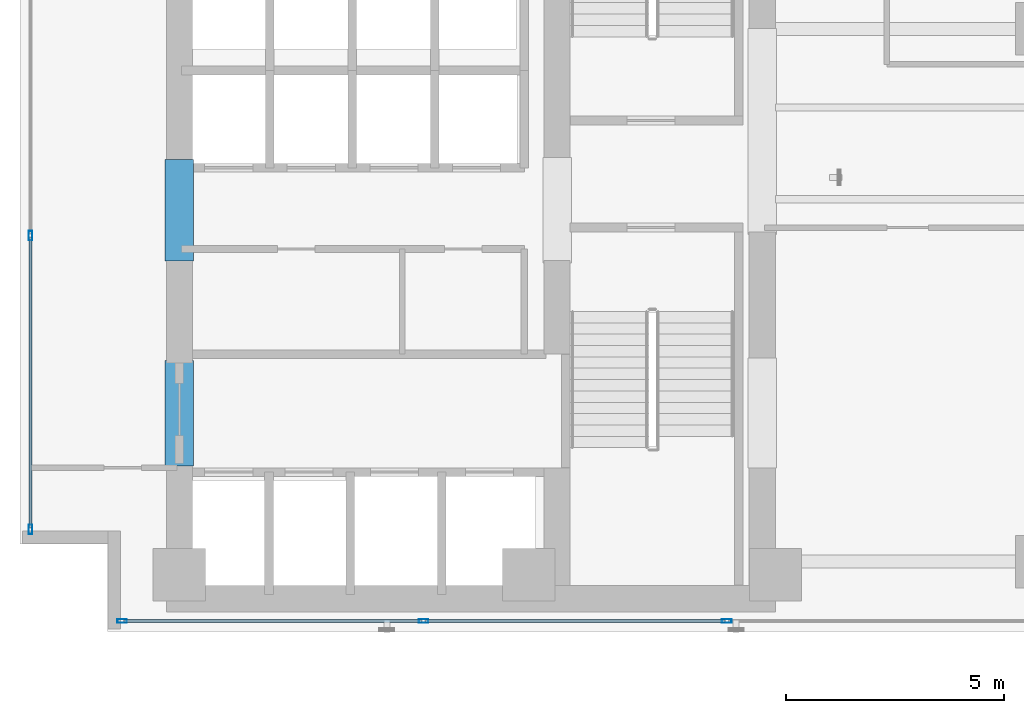
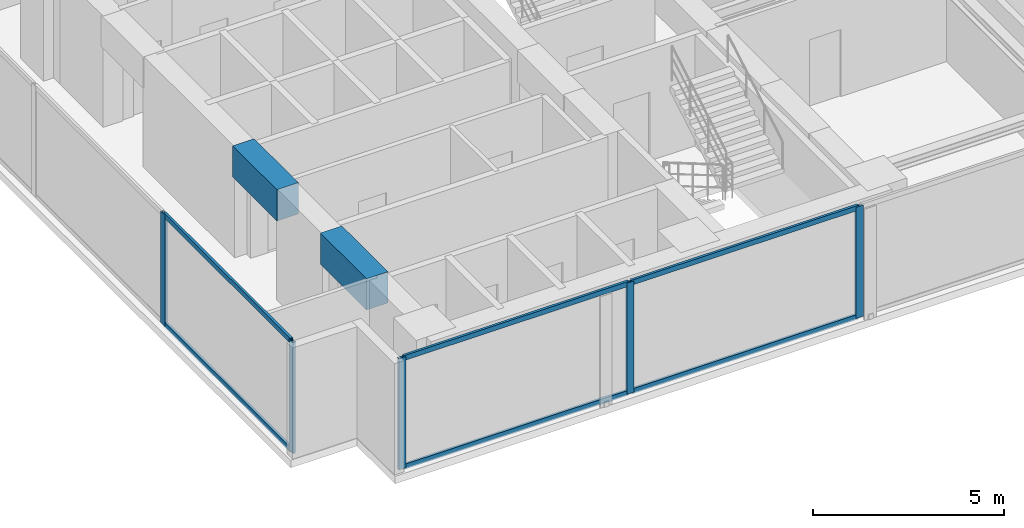
# One storey, part 2 of 27: 11 members, 2 beams, 2 elements without a shape of their own.
"""IFC4 building model written with IfcOpenShell, lengths in metres."""

import ifcopenshell
import ifcopenshell.guid

model = None  # the IFC model being written
_history = None  # IfcOwnerHistory: only IFC2X3 demands one
_inside = {}  # id of a spatial element -> (the spatial element, [elements in it])
_under = {}  # id of a project, library or spatial element -> (it, [spatial elements below it])
_declared = {}  # id of a project -> (the project, [libraries it declares])
_typed = {}  # id of a type object -> (the type object, [elements of that type])
_made_of = {}  # id of a material, layer set ... -> (it, [elements and type objects made of it])


def new_model(schema):
    """Start an empty IFC model of exactly this schema.

    Asked for "IFC4X3", IfcOpenShell would pick the latest addendum, in which some entities
    have other attributes; the version numbers below select the first issue.
    IFC2X3 requires an IfcOwnerHistory on every rooted entity: one is made here for all.
    """
    global model, _history
    if schema == "IFC4X3":
        model = ifcopenshell.file(schema_version=(4, 3, 0, 0))
    else:
        model = ifcopenshell.file(schema=schema)
    _inside.clear()
    _under.clear()
    _declared.clear()
    _typed.clear()
    _made_of.clear()
    _history = None
    if model.schema == "IFC2X3":
        org = make("IfcOrganization", Name="unknown")
        user = make(
            "IfcPersonAndOrganization",
            ThePerson=make("IfcPerson", FamilyName="unknown"),
            TheOrganization=org,
        )
        app = make(
            "IfcApplication",
            ApplicationDeveloper=org,
            Version="unknown",
            ApplicationFullName="unknown",
            ApplicationIdentifier="unknown",
        )
        _history = make(
            "IfcOwnerHistory",
            OwningUser=user,
            OwningApplication=app,
            ChangeAction="ADDED",
            CreationDate=0,
        )
    return model


def make(cls, **values):
    """One entity of the class cls with the attributes given. An attribute that is None is left unset."""
    return model.create_entity(
        cls, **{name: value for name, value in values.items() if value is not None}
    )


def rooted(cls, **values):
    """An entity with a GlobalId (a new one), such as an element, a storey or a relation."""
    return make(cls, GlobalId=ifcopenshell.guid.new(), OwnerHistory=_history, **values)


def si_unit(unit_type, name, prefix=None):
    """IfcSIUnit, for example si_unit("LENGTHUNIT", "METRE", prefix="MILLI")."""
    return make("IfcSIUnit", UnitType=unit_type, Prefix=prefix, Name=name)


def assignment(units):
    """IfcUnitAssignment: the units of a project."""
    return None if units is None else make("IfcUnitAssignment", Units=units)


def point(xyz):
    """IfcCartesianPoint."""
    return None if xyz is None else make("IfcCartesianPoint", Coordinates=xyz)


def direction(xyz):
    """IfcDirection."""
    return None if xyz is None else make("IfcDirection", DirectionRatios=xyz)


def frame(location, z_axis=None, x_axis=None):
    """IfcAxis2Placement3D, a coordinate frame: its origin and axes. An axis left out is left unset."""
    return make(
        "IfcAxis2Placement3D",
        Location=point(location),
        Axis=direction(z_axis),
        RefDirection=direction(x_axis),
    )


def frame_2d(location, x_axis=None):
    """IfcAxis2Placement2D, a coordinate frame in the plane: its origin and x axis."""
    return make(
        "IfcAxis2Placement2D", Location=point(location), RefDirection=direction(x_axis)
    )


def origin():
    """The frame at (0, 0, 0) with its axes left unset."""
    return frame((0.0, 0.0, 0.0))


def origin_with_axes():
    """The frame at (0, 0, 0) with the z axis (0, 0, 1) and the x axis (1, 0, 0) written out."""
    return frame((0.0, 0.0, 0.0), z_axis=(0.0, 0.0, 1.0), x_axis=(1.0, 0.0, 0.0))


def origin_2d():
    """The frame at (0, 0) in the plane with its x axis left unset."""
    return frame_2d((0.0, 0.0))


def place(relative_to, where):
    """IfcLocalPlacement: puts the frame where relative to a parent placement (None: the world)."""
    return make(
        "IfcLocalPlacement", PlacementRelTo=relative_to, RelativePlacement=where
    )


def context(
    kind, dimensions, precision=None, world=None, true_north=None, identifier=None
):
    """IfcGeometricRepresentationContext, for example the 3D "Model" context."""
    return make(
        "IfcGeometricRepresentationContext",
        ContextIdentifier=identifier,
        ContextType=kind,
        CoordinateSpaceDimension=dimensions,
        Precision=precision,
        WorldCoordinateSystem=world,
        TrueNorth=true_north,
    )


def subcontext(parent, identifier, kind, view, scale=None):
    """IfcGeometricRepresentationSubContext, for example "Body" below "Model"."""
    return make(
        "IfcGeometricRepresentationSubContext",
        ContextIdentifier=identifier,
        ContextType=kind,
        ParentContext=parent,
        TargetScale=scale,
        TargetView=view,
    )


def project(units=None, contexts=None):
    """IfcProject with its units and contexts."""
    return rooted(
        "IfcProject",
        Name="project",
        RepresentationContexts=contexts,
        UnitsInContext=assignment(units),
    )


def spatial(cls, under=None, at=None, **own):
    """A site, building, storey or space (cls), placed at a placement, below another one or the project."""
    s = rooted(cls, ObjectPlacement=at, **own)
    if under is not None:
        _under.setdefault(under.id(), (under, []))[1].append(s)
    return s


def profile(cls, at=None, kind="AREA", **sizes):
    """A parametric profile (cls). Its sizes go by their IFC names, for example OverallWidth=200.0."""
    return make(cls, ProfileType=kind, Position=at, **sizes)


def rectangle(**sizes):
    """IfcRectangleProfileDef."""
    return profile("IfcRectangleProfileDef", **sizes)


def hollow_rectangle(**sizes):
    """IfcRectangleHollowProfileDef."""
    return profile("IfcRectangleHollowProfileDef", **sizes)


def extrude(swept, where, along, depth):
    """IfcExtrudedAreaSolid: the profile swept, set in the frame where, extruded along a direction by depth."""
    return make(
        "IfcExtrudedAreaSolid",
        SweptArea=swept,
        Position=where,
        ExtrudedDirection=direction(along),
        Depth=depth,
    )


def shape(context_of_items, identifier, shape_type, items):
    """IfcShapeRepresentation: the items that make up one representation, for example the "Body"."""
    return make(
        "IfcShapeRepresentation",
        ContextOfItems=context_of_items,
        RepresentationIdentifier=identifier,
        RepresentationType=shape_type,
        Items=items,
    )


def source(mapping_origin, context_of_items, identifier, shape_type, items):
    """IfcRepresentationMap: a shape defined once, which mapped items show again and again."""
    return make(
        "IfcRepresentationMap",
        MappingOrigin=mapping_origin,
        MappedRepresentation=shape(context_of_items, identifier, shape_type, items),
    )


def transform(
    local_origin,
    x_axis=None,
    y_axis=None,
    z_axis=None,
    scale=None,
    scale2=None,
    scale3=None,
    uniform=True,
):
    """IfcCartesianTransformationOperator3D, or its non-uniform kind. x_axis, y_axis, z_axis: its Axis1, 2, 3."""
    if uniform:
        return make(
            "IfcCartesianTransformationOperator3D",
            Axis1=direction(x_axis),
            Axis2=direction(y_axis),
            LocalOrigin=point(local_origin),
            Scale=scale,
            Axis3=direction(z_axis),
        )
    return make(
        "IfcCartesianTransformationOperator3DnonUniform",
        Axis1=direction(x_axis),
        Axis2=direction(y_axis),
        LocalOrigin=point(local_origin),
        Scale=scale,
        Axis3=direction(z_axis),
        Scale2=scale2,
        Scale3=scale3,
    )


def mapped(mapping_source, mapping_target):
    """IfcMappedItem: shows the shape of a source again, moved by a transform."""
    return make(
        "IfcMappedItem", MappingSource=mapping_source, MappingTarget=mapping_target
    )


def material(Name=None, Category=None):
    """IfcMaterial."""
    return make("IfcMaterial", Name=Name, Category=Category)


def layer(
    of_material, thickness, ventilated=None, Name=None, Category=None, Priority=None
):
    """IfcMaterialLayer: one layer of a wall or slab, of a material (None: an air gap)."""
    return make(
        "IfcMaterialLayer",
        Material=of_material,
        LayerThickness=thickness,
        IsVentilated=ventilated,
        Name=Name,
        Category=Category,
        Priority=Priority,
    )


def layer_set(layers, Name=None):
    """IfcMaterialLayerSet."""
    return make("IfcMaterialLayerSet", MaterialLayers=layers, LayerSetName=Name)


def material_profile(
    of_material, cross_section, Name=None, Category=None, Priority=None
):
    """IfcMaterialProfile: a cross section and its material."""
    return make(
        "IfcMaterialProfile",
        Name=Name,
        Material=of_material,
        Profile=cross_section,
        Priority=Priority,
        Category=Category,
    )


def profile_set(profiles, Name=None, composite=None):
    """IfcMaterialProfileSet."""
    return make(
        "IfcMaterialProfileSet",
        Name=Name,
        MaterialProfiles=profiles,
        CompositeProfile=composite,
    )


def made_of(thing, what):
    """Note that an element or type object is made of a material, layer set ...; save() writes the relation."""
    if what is not None:
        _made_of.setdefault(what.id(), (what, []))[1].append(thing)
    return thing


def type_object(cls, material=None, **own):
    """A type object (cls), such as IfcWallType, which elements share."""
    return made_of(rooted(cls, **own), material)


def element(
    cls,
    number,
    at=None,
    inside=None,
    cuts=None,
    type_object=None,
    material=None,
    context=None,
    identifier="Body",
    shape_type=None,
    held_by="IfcProductDefinitionShape",
    body=None,
    shapes=None,
    **own,
):
    """One element of the class cls, such as IfcWall. Its Tag is "e" and its number.

    at: its placement. inside: the storey or other place that contains it. cuts: it is an
    opening in that element (IfcRelVoidsElement). A single representation is given by context,
    identifier, shape_type and body (its items); several are given by shapes. held_by: the class
    of the entity that holds the representations. save() writes the other relations.
    """
    e = rooted(cls, Tag="e%d" % number, ObjectPlacement=at, **own)
    if body is not None:
        shapes = [shape(context, identifier, shape_type, body)]
    if shapes is not None:
        e.Representation = make(held_by, Representations=shapes)
    if inside is not None:
        _inside.setdefault(inside.id(), (inside, []))[1].append(e)
    if cuts is not None:
        rooted(
            "IfcRelVoidsElement", RelatingBuildingElement=cuts, RelatedOpeningElement=e
        )
    if type_object is not None:
        _typed.setdefault(type_object.id(), (type_object, []))[1].append(e)
    return made_of(e, material)


def aggregate(whole, parts):
    """IfcRelAggregates: a whole, such as a stair, and the parts it consists of."""
    return rooted("IfcRelAggregates", RelatingObject=whole, RelatedObjects=parts)


def save(model, path):
    """Write the relations noted so far, then the file.

    IfcRelAggregates (storeys below a building ...), IfcRelContainedInSpatialStructure (elements
    in a storey), IfcRelDefinesByType, IfcRelAssociatesMaterial and IfcRelDeclares: one each for
    every whole, place, type object, material and project.
    """
    for whole, parts in _under.values():
        aggregate(whole, parts)
    for where, things in _inside.values():
        rooted(
            "IfcRelContainedInSpatialStructure",
            RelatedElements=things,
            RelatingStructure=where,
        )
    for kind, things in _typed.values():
        rooted("IfcRelDefinesByType", RelatedObjects=things, RelatingType=kind)
    for what, things in _made_of.values():
        rooted("IfcRelAssociatesMaterial", RelatedObjects=things, RelatingMaterial=what)
    for by, libraries in _declared.values():
        rooted("IfcRelDeclares", RelatingContext=by, RelatedDefinitions=libraries)
    model.write(path)


model = new_model("IFC4")

# Units and contexts
model_context = context("Model", 3, precision=1e-05, world=origin(), true_north=direction((0.0, 1.0)))
body_context = subcontext(model_context, "Body", "Model", "MODEL_VIEW")
ifc_project = project(units=[si_unit("LENGTHUNIT", "METRE"), si_unit("AREAUNIT", "SQUARE_METRE"), si_unit("VOLUMEUNIT", "CUBIC_METRE"), si_unit("PLANEANGLEUNIT", "RADIAN"), si_unit("MASSUNIT", "GRAM", prefix="KILO")], contexts=[model_context])

# Site, building, storey
site_placement = place(None, origin())
site = spatial("IfcSite", under=ifc_project, at=site_placement, CompositionType="ELEMENT")
building_placement = place(site_placement, origin())
building = spatial("IfcBuilding", under=site, at=building_placement, Name="Kolvaren Waterfront Exchange", CompositionType="ELEMENT")
storey_placement = place(building_placement, frame((0.0, 0.0, 191.800048828125)))
storey = spatial("IfcBuildingStorey", under=building, at=storey_placement, Name="L49", CompositionType="ELEMENT", Elevation=191.800048828125)

# Beams
ifc_material_1 = material(Name="Concrete C60/75", Category="concrete")
ifc_material_profile_1 = material_profile(ifc_material_1, rectangle(XDim=0.64990234375, YDim=1.0, at=origin_2d()), Name="RC-CB-1000x650")
ifc_profile_set_1 = profile_set([ifc_material_profile_1], Name="Concrete C60/75")
beam_type = type_object("IfcBeamType", Name="STR-CB-1000", PredefinedType="SPANDREL", material=ifc_profile_set_1)
beam_1_placement = place(storey_placement, frame((7.449951171875, 7.389892578125, 3.06005859375), z_axis=(0.0, 1.0, 0.0), x_axis=(-1.0, 0.0, 0.0)))
element("IfcBeam", 1, at=beam_1_placement, inside=storey, type_object=beam_type, Name="L49 core coupling beam 3", PredefinedType="SPANDREL", context=body_context, shape_type="SweptSolid", body=[
    extrude(rectangle(XDim=0.64990234375, YDim=1.0, at=origin_2d()), origin(), (0.0, 0.0, 1.0), 2.420166015625),
])
beam_2_placement = place(storey_placement, frame((7.449951171875, 12.090087890625, 3.06005859375), z_axis=(0.0, 1.0, 0.0), x_axis=(-1.0, 0.0, 0.0)))
element("IfcBeam", 2, at=beam_2_placement, inside=storey, type_object=beam_type, Name="L49 core coupling beam 4", PredefinedType="SPANDREL", context=body_context, shape_type="SweptSolid", body=[
    extrude(rectangle(XDim=0.64990234375, YDim=1.0, at=origin_2d()), origin(), (0.0, 0.0, 1.0), 2.31982421875),
])

# Curtain wall, members
ifc_material_2 = material(Name="Anodised bronze aluminium 6063-T6", Category="aluminium")
ifc_layer_1 = layer(ifc_material_2, 0.219970703125, Name="Anodised bronze aluminium 6063-T6")
ifc_layer_set_1 = layer_set([ifc_layer_1], Name="Anodised bronze aluminium 6063-T6")
curtain_wall_type_1 = type_object("IfcCurtainWallType", Name="ARC-CW-SYS1", PredefinedType="USERDEFINED", material=ifc_layer_set_1)
curtain_wall_1_placement = place(storey_placement, origin())
curtain_wall_1 = element("IfcCurtainWall", 3, at=curtain_wall_1_placement, inside=storey, type_object=curtain_wall_type_1, Name="L49 stick curtain wall CW1 (CW-L49-S)", ObjectType="STICK CURTAIN WALL", PredefinedType="USERDEFINED")
ifc_material_3 = material(Name="Anodised aluminium 6063-T6", Category="aluminium")
ifc_material_profile_2 = material_profile(ifc_material_3, hollow_rectangle(XDim=0.080078125, YDim=0.219970703125, WallThickness=0.0048828125, at=origin_2d()), Name="ALU-MUL-220x80x5")
ifc_profile_set_2 = profile_set([ifc_material_profile_2], Name="Anodised aluminium 6063-T6")
member_type_1 = type_object("IfcMemberType", Name="ARC-CWM-220", PredefinedType="MULLION", material=ifc_profile_set_2)
shared_shape_1 = source(origin_with_axes(), body_context, "Body", "SweptSolid", [
    extrude(hollow_rectangle(XDim=0.080078125, YDim=0.219970703125, WallThickness=0.0048828125, at=origin_2d()), origin(), (0.0, 0.0, 1.0), 3.56005859375),
])
member_1_placement = place(storey_placement, frame((6.139892578125, 3.840087890625, 0.0), z_axis=(0.0, 0.0, 1.0), x_axis=(0.0, 1.0, 0.0)))
member_1 = element("IfcMember", 4, at=member_1_placement, type_object=member_type_1, Name="CW1 mullion 1", PredefinedType="MULLION", context=body_context, shape_type="MappedRepresentation", body=[
    mapped(shared_shape_1, transform((0.0, 0.0, 0.0), x_axis=(1.0, 0.0, 0.0), y_axis=(0.0, 1.0, 0.0), z_axis=(0.0, 0.0, 1.0), scale=1.0)),
])
member_2_placement = place(storey_placement, frame((13.04296875, 3.840087890625, 0.0), z_axis=(0.0, 0.0, 1.0), x_axis=(0.0, 1.0, 0.0)))
member_2 = element("IfcMember", 5, at=member_2_placement, type_object=member_type_1, Name="CW1 mullion 2", PredefinedType="MULLION", context=body_context, shape_type="MappedRepresentation", body=[
    mapped(shared_shape_1, transform((0.0, 0.0, 0.0), x_axis=(1.0, 0.0, 0.0), y_axis=(0.0, 1.0, 0.0), z_axis=(0.0, 0.0, 1.0), scale=1.0)),
])
member_3_placement = place(storey_placement, frame((19.985595703125, 3.840087890625, 0.0), z_axis=(0.0, 0.0, 1.0), x_axis=(0.0, 1.0, 0.0)))
member_3 = element("IfcMember", 6, at=member_3_placement, type_object=member_type_1, Name="CW1 mullion 3", PredefinedType="MULLION", context=body_context, shape_type="MappedRepresentation", body=[
    mapped(shared_shape_1, transform((0.0, 0.0, 0.0), x_axis=(1.0, 0.0, 0.0), y_axis=(0.0, 1.0, 0.0), z_axis=(0.0, 0.0, 1.0), scale=1.0)),
])

ifc_layer_2 = layer(ifc_material_3, 0.219970703125, Name="Anodised aluminium 6063-T6")
ifc_layer_set_2 = layer_set([ifc_layer_2], Name="Anodised aluminium 6063-T6")
curtain_wall_type_2 = type_object("IfcCurtainWallType", Name="ARC-CW-SYS2", PredefinedType="USERDEFINED", material=ifc_layer_set_2)
curtain_wall_2_placement = place(storey_placement, origin())
curtain_wall_2 = element("IfcCurtainWall", 7, at=curtain_wall_2_placement, inside=storey, type_object=curtain_wall_type_2, Name="L49 stick curtain wall CW2 (CW-L49-W)", ObjectType="STICK CURTAIN WALL", PredefinedType="USERDEFINED")
member_4_placement = place(storey_placement, frame((4.0400390625, 5.93994140625, 0.0), z_axis=(0.0, 0.0, 1.0), x_axis=(-1.0, 0.0, 0.0)))
member_4 = element("IfcMember", 8, at=member_4_placement, type_object=member_type_1, Name="CW2 mullion 1", PredefinedType="MULLION", context=body_context, shape_type="MappedRepresentation", body=[
    mapped(shared_shape_1, transform((0.0, 0.0, 0.0), x_axis=(1.0, 0.0, 0.0), y_axis=(0.0, 1.0, 0.0), z_axis=(0.0, 0.0, 1.0), scale=1.0)),
])
member_5_placement = place(storey_placement, frame((4.0400390625, 12.666748046875, 0.0), z_axis=(0.0, 0.0, 1.0), x_axis=(-1.0, 0.0, 0.0)))
member_5 = element("IfcMember", 9, at=member_5_placement, type_object=member_type_1, Name="CW2 mullion 2", PredefinedType="MULLION", context=body_context, shape_type="MappedRepresentation", body=[
    mapped(shared_shape_1, transform((0.0, 0.0, 0.0), x_axis=(1.0, 0.0, 0.0), y_axis=(0.0, 1.0, 0.0), z_axis=(0.0, 0.0, 1.0), scale=1.0)),
])

# Member
ifc_material_profile_3 = material_profile(ifc_material_3, hollow_rectangle(XDim=0.074951171875, YDim=0.159912109375, WallThickness=0.00439453125, at=origin_2d()), Name="ALU-TRN-160x75x4.5")
ifc_profile_set_3 = profile_set([ifc_material_profile_3], Name="Anodised aluminium 6063-T6")
member_type_2 = type_object("IfcMemberType", Name="ARC-CWT-160", PredefinedType="USERDEFINED", material=ifc_profile_set_3)
shared_shape_2 = source(origin_with_axes(), body_context, "Body", "SweptSolid", [
    extrude(hollow_rectangle(XDim=0.074951171875, YDim=0.159912109375, WallThickness=0.00439453125, at=origin_2d()), origin(), (0.0, 0.0, 1.0), 6.822998046875),
])
member_6_placement = place(storey_placement, frame((6.179931640625, 3.840087890625, 0.037353515625), z_axis=(1.0, 0.0, 0.0), x_axis=(0.0, 1.0, 0.0)))
member_6 = element("IfcMember", 10, at=member_6_placement, type_object=member_type_2, Name="CW1 transom 1.1", ObjectType="TRANSOM", PredefinedType="USERDEFINED", context=body_context, shape_type="MappedRepresentation", body=[
    mapped(shared_shape_2, transform((0.0, 0.0, 0.0), x_axis=(1.0, 0.0, 0.0), y_axis=(0.0, 1.0, 0.0), z_axis=(0.0, 0.0, 1.0), scale=1.0)),
])

member_7_placement = place(storey_placement, frame((6.179931640625, 3.840087890625, 3.5224609375), z_axis=(1.0, 0.0, 0.0), x_axis=(0.0, 1.0, 0.0)))
member_7 = element("IfcMember", 11, at=member_7_placement, type_object=member_type_2, Name="CW1 transom 1.2", ObjectType="TRANSOM", PredefinedType="USERDEFINED", context=body_context, shape_type="MappedRepresentation", body=[
    mapped(shared_shape_2, transform((0.0, 0.0, 0.0), x_axis=(1.0, 0.0, 0.0), y_axis=(0.0, 1.0, 0.0), z_axis=(0.0, 0.0, 1.0), scale=1.0)),
])

shared_shape_3 = source(origin_with_axes(), body_context, "Body", "SweptSolid", [
    extrude(hollow_rectangle(XDim=0.074951171875, YDim=0.159912109375, WallThickness=0.00439453125, at=origin_2d()), origin(), (0.0, 0.0, 1.0), 6.863037109375),
])
member_8_placement = place(storey_placement, frame((13.082763671875, 3.840087890625, 0.037353515625), z_axis=(1.0, 0.0, 0.0), x_axis=(0.0, 1.0, 0.0)))
member_8 = element("IfcMember", 12, at=member_8_placement, type_object=member_type_2, Name="CW1 transom 2.1", ObjectType="TRANSOM", PredefinedType="USERDEFINED", context=body_context, shape_type="MappedRepresentation", body=[
    mapped(shared_shape_3, transform((0.0, 0.0, 0.0), x_axis=(1.0, 0.0, 0.0), y_axis=(0.0, 1.0, 0.0), z_axis=(0.0, 0.0, 1.0), scale=1.0)),
])

member_9_placement = place(storey_placement, frame((13.082763671875, 3.840087890625, 3.5224609375), z_axis=(1.0, 0.0, 0.0), x_axis=(0.0, 1.0, 0.0)))
member_9 = element("IfcMember", 13, at=member_9_placement, type_object=member_type_2, Name="CW1 transom 2.2", ObjectType="TRANSOM", PredefinedType="USERDEFINED", context=body_context, shape_type="MappedRepresentation", body=[
    mapped(shared_shape_3, transform((0.0, 0.0, 0.0), x_axis=(1.0, 0.0, 0.0), y_axis=(0.0, 1.0, 0.0), z_axis=(0.0, 0.0, 1.0), scale=1.0)),
])

aggregate(curtain_wall_1, [member_1, member_2, member_3, member_6, member_7, member_8, member_9])

shared_shape_4 = source(origin_with_axes(), body_context, "Body", "SweptSolid", [
    extrude(hollow_rectangle(XDim=0.074951171875, YDim=0.159912109375, WallThickness=0.00439453125, at=origin_2d()), origin(), (0.0, 0.0, 1.0), 6.646728515625),
])
member_10_placement = place(storey_placement, frame((4.0400390625, 5.97998046875, 0.037353515625), z_axis=(0.0, 1.0, 0.0), x_axis=(-1.0, 0.0, 0.0)))
member_10 = element("IfcMember", 14, at=member_10_placement, type_object=member_type_2, Name="CW2 transom 1.1", ObjectType="TRANSOM", PredefinedType="USERDEFINED", context=body_context, shape_type="MappedRepresentation", body=[
    mapped(shared_shape_4, transform((0.0, 0.0, 0.0), x_axis=(1.0, 0.0, 0.0), y_axis=(0.0, 1.0, 0.0), z_axis=(0.0, 0.0, 1.0), scale=1.0)),
])

member_11_placement = place(storey_placement, frame((4.0400390625, 5.97998046875, 3.5224609375), z_axis=(0.0, 1.0, 0.0), x_axis=(-1.0, 0.0, 0.0)))
member_11 = element("IfcMember", 15, at=member_11_placement, type_object=member_type_2, Name="CW2 transom 1.2", ObjectType="TRANSOM", PredefinedType="USERDEFINED", context=body_context, shape_type="MappedRepresentation", body=[
    mapped(shared_shape_4, transform((0.0, 0.0, 0.0), x_axis=(1.0, 0.0, 0.0), y_axis=(0.0, 1.0, 0.0), z_axis=(0.0, 0.0, 1.0), scale=1.0)),
])

aggregate(curtain_wall_2, [member_4, member_5, member_10, member_11])

save(model, "model.ifc")
